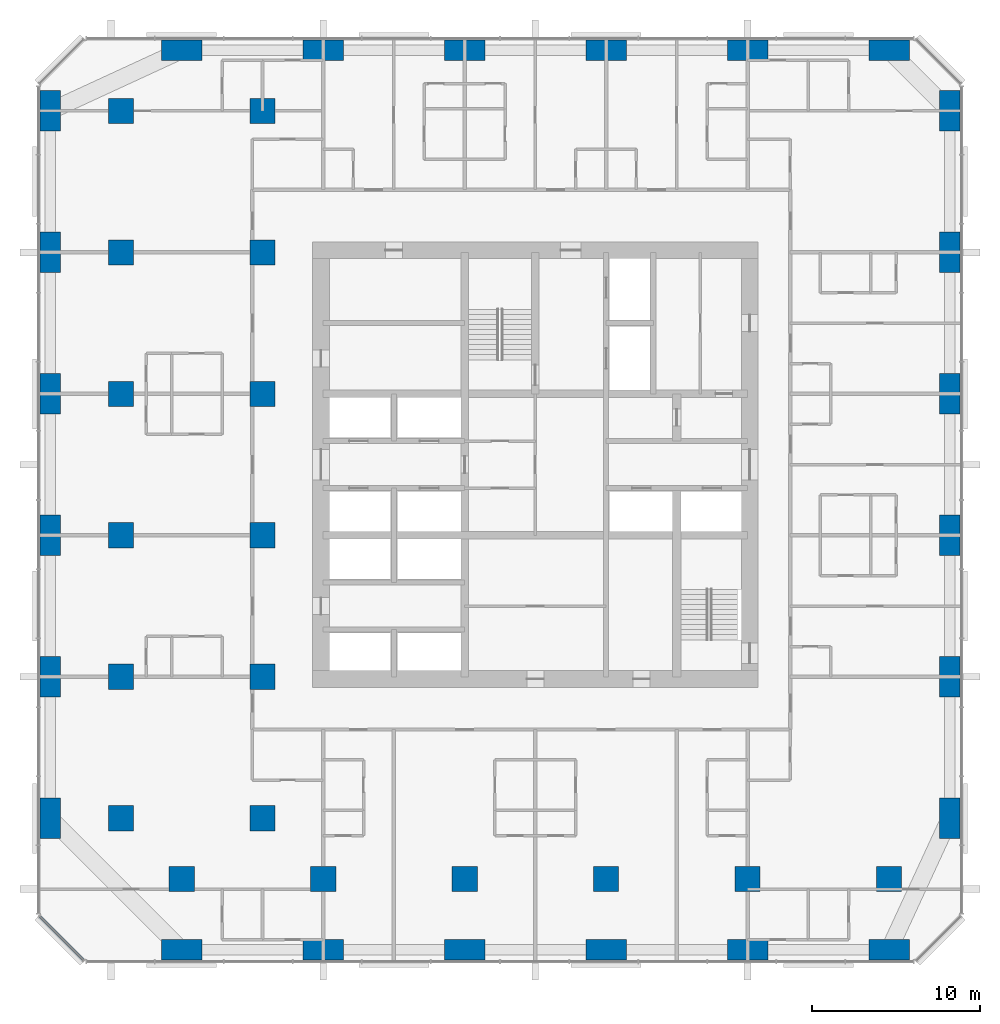
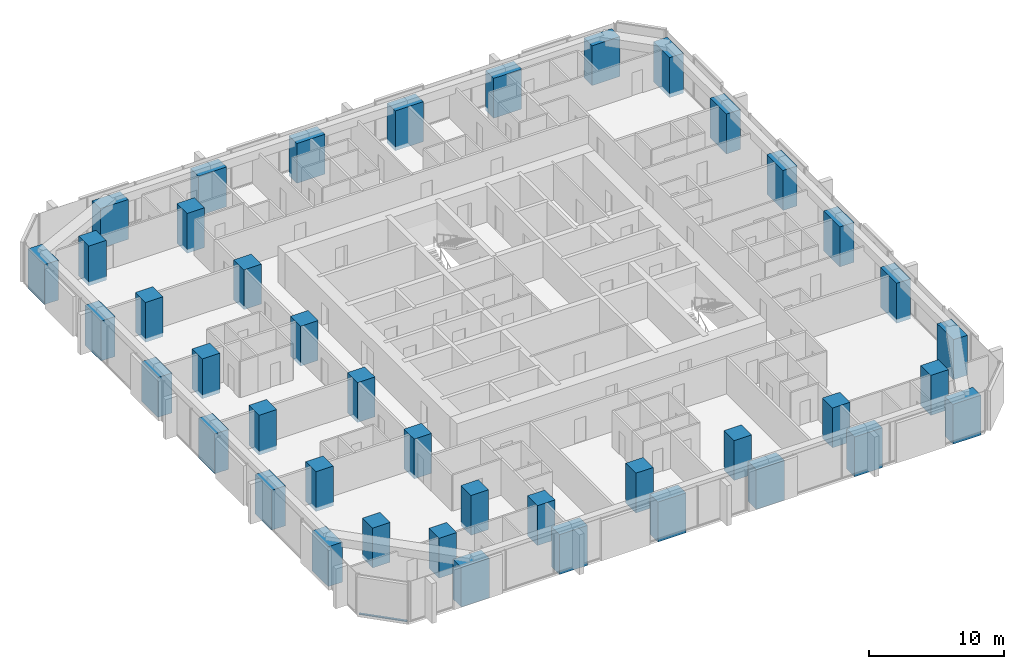
# One storey, part 1 of 14: 42 columns, 1 member, 1 element without a shape of its own.
"""IFC4 building model written with IfcOpenShell, lengths in metres."""

from ifc_helpers import new_model, si_unit, direction, frame, origin, origin_2d, place, context, subcontext, project, spatial, rectangle, extrude, material, material_profile, profile_set, type_object, element, aggregate, save


model = new_model("IFC4")

# Units and contexts
model_context = context("Model", 3, precision=1e-05, world=origin(), true_north=direction((0.0, 1.0)))
body_context = subcontext(model_context, "Body", "Model", "MODEL_VIEW")
ifc_project = project(units=[si_unit("LENGTHUNIT", "METRE"), si_unit("AREAUNIT", "SQUARE_METRE"), si_unit("VOLUMEUNIT", "CUBIC_METRE"), si_unit("PLANEANGLEUNIT", "RADIAN"), si_unit("MASSUNIT", "GRAM", prefix="KILO")], contexts=[model_context])

# Site, building, storey
site_placement = place(None, origin())
site = spatial("IfcSite", under=ifc_project, at=site_placement, CompositionType="ELEMENT")
building_placement = place(site_placement, origin())
building = spatial("IfcBuilding", under=site, at=building_placement, Name="Dunama Terrace Hotel", CompositionType="ELEMENT")
storey_placement = place(building_placement, frame((0.0, 0.0, 122.39990234375)))
storey = spatial("IfcBuildingStorey", under=building, at=storey_placement, Name="L31", CompositionType="ELEMENT", Elevation=122.39990234375)

# Columns
ifc_material_1 = material(Name="Concrete C60/75", Category="concrete")
ifc_material_profile_1 = material_profile(ifc_material_1, rectangle(XDim=1.199951171875, YDim=2.39990234375, at=origin_2d()), Name="RC 1200x2400")
ifc_profile_set_1 = profile_set([ifc_material_profile_1], Name="Concrete C60/75")
column_type_1 = type_object("IfcColumnType", Name="Column RC 1200x2400", PredefinedType="COLUMN", material=ifc_profile_set_1)
for number, where, z_axis, x_axis, name in (
    (1, (0.60009765625, 8.39990234375, -0.349853515625), (0.0, 0.0, 1.0), (1.0, 0.0, 0.0), "Column L31 +0.6/+8.4"),
    (2, (0.60009765625, 16.800048828125, -0.349853515625), (0.0, 0.0, 1.0), (1.0, 0.0, 0.0), "Column L31 +0.6/+16.8"),
    (3, (0.60009765625, 25.199951171875, -0.349853515625), (0.0, 0.0, 1.0), (1.0, 0.0, 0.0), "Column L31 +0.6/+25.2"),
    (4, (0.60009765625, 33.60009765625, -0.349853515625), (0.0, 0.0, 1.0), (1.0, 0.0, 0.0), "Column L31 +0.6/+33.6"),
    (5, (0.60009765625, 42.0, -0.349853515625), (0.0, 0.0, 1.0), (1.0, 0.0, 0.0), "Column L31 +0.6/+42.0"),
    (6, (0.60009765625, 50.39990234375, -0.349853515625), (0.0, 0.0, 1.0), (1.0, 0.0, 0.0), "Column L31 +0.6/+50.4"),
    (7, (54.0, 8.39990234375, -0.349853515625), (0.0, 0.0, 1.0), (1.0, 0.0, 0.0), "Column L31 +54.0/+8.4"),
    (8, (54.0, 16.800048828125, -0.349853515625), (0.0, 0.0, 1.0), (1.0, 0.0, 0.0), "Column L31 +54.0/+16.8"),
    (9, (54.0, 25.199951171875, -0.349853515625), (0.0, 0.0, 1.0), (1.0, 0.0, 0.0), "Column L31 +54.0/+25.2"),
    (10, (54.0, 33.60009765625, -0.349853515625), (0.0, 0.0, 1.0), (1.0, 0.0, 0.0), "Column L31 +54.0/+33.6"),
    (11, (54.0, 42.0, -0.349853515625), (0.0, 0.0, 1.0), (1.0, 0.0, 0.0), "Column L31 +54.0/+42.0"),
    (12, (54.0, 50.39990234375, -0.349853515625), (0.0, 0.0, 1.0), (1.0, 0.0, 0.0), "Column L31 +54.0/+50.4"),
):
    element("IfcColumn", number, at=place(storey_placement, frame(where, z_axis=z_axis, x_axis=x_axis)), inside=storey, type_object=column_type_1, Name=name, PredefinedType="COLUMN", context=body_context, shape_type="SweptSolid", body=[
        extrude(rectangle(XDim=1.199951171875, YDim=2.39990234375, at=origin_2d()), origin(), (0.0, 0.0, 1.0), 3.599853515625),
    ])
ifc_material_2 = material(Name="Concrete C60/75", Category="concrete")
ifc_material_profile_2 = material_profile(ifc_material_2, rectangle(XDim=1.5, YDim=1.5, at=origin_2d()), Name="RC 1500x1500")
ifc_profile_set_2 = profile_set([ifc_material_profile_2], Name="Concrete C60/75")
column_type_2 = type_object("IfcColumnType", Name="Column RC 1500x1500", PredefinedType="COLUMN", material=ifc_profile_set_2)
for number, where, z_axis, x_axis, name in (
    (13, (4.800048828125, 8.39990234375, -0.349853515625), (0.0, 0.0, 1.0), (1.0, 0.0, 0.0), "Column L31 +4.8/+8.4"),
    (14, (4.800048828125, 16.800048828125, -0.349853515625), (0.0, 0.0, 1.0), (1.0, 0.0, 0.0), "Column L31 +4.8/+16.8"),
    (15, (4.800048828125, 25.199951171875, -0.349853515625), (0.0, 0.0, 1.0), (1.0, 0.0, 0.0), "Column L31 +4.8/+25.2"),
    (16, (4.800048828125, 33.60009765625, -0.349853515625), (0.0, 0.0, 1.0), (1.0, 0.0, 0.0), "Column L31 +4.8/+33.6"),
    (17, (4.800048828125, 42.0, -0.349853515625), (0.0, 0.0, 1.0), (1.0, 0.0, 0.0), "Column L31 +4.8/+42.0"),
    (18, (4.800048828125, 50.39990234375, -0.349853515625), (0.0, 0.0, 1.0), (1.0, 0.0, 0.0), "Column L31 +4.8/+50.4"),
    (19, (8.39990234375, 4.800048828125, -0.349853515625), (0.0, 0.0, 1.0), (1.0, 0.0, 0.0), "Column L31 +8.4/+4.8"),
    (20, (13.199951171875, 8.39990234375, -0.349853515625), (0.0, 0.0, 1.0), (1.0, 0.0, 0.0), "Column L31 +13.2/+8.4"),
    (21, (13.199951171875, 16.800048828125, -0.349853515625), (0.0, 0.0, 1.0), (1.0, 0.0, 0.0), "Column L31 +13.2/+16.8"),
    (22, (13.199951171875, 25.199951171875, -0.349853515625), (0.0, 0.0, 1.0), (1.0, 0.0, 0.0), "Column L31 +13.2/+25.2"),
    (23, (13.199951171875, 33.60009765625, -0.349853515625), (0.0, 0.0, 1.0), (1.0, 0.0, 0.0), "Column L31 +13.2/+33.6"),
    (24, (13.199951171875, 42.0, -0.349853515625), (0.0, 0.0, 1.0), (1.0, 0.0, 0.0), "Column L31 +13.2/+42.0"),
    (25, (13.199951171875, 50.39990234375, -0.349853515625), (0.0, 0.0, 1.0), (1.0, 0.0, 0.0), "Column L31 +13.2/+50.4"),
    (26, (16.800048828125, 4.800048828125, -0.349853515625), (0.0, 0.0, 1.0), (1.0, 0.0, 0.0), "Column L31 +16.8/+4.8"),
    (27, (25.199951171875, 4.800048828125, -0.349853515625), (0.0, 0.0, 1.0), (1.0, 0.0, 0.0), "Column L31 +25.2/+4.8"),
    (28, (33.60009765625, 4.800048828125, -0.349853515625), (0.0, 0.0, 1.0), (1.0, 0.0, 0.0), "Column L31 +33.6/+4.8"),
    (29, (42.0, 4.800048828125, -0.349853515625), (0.0, 0.0, 1.0), (1.0, 0.0, 0.0), "Column L31 +42.0/+4.8"),
    (30, (50.39990234375, 4.800048828125, -0.349853515625), (0.0, 0.0, 1.0), (1.0, 0.0, 0.0), "Column L31 +50.4/+4.8"),
):
    element("IfcColumn", number, at=place(storey_placement, frame(where, z_axis=z_axis, x_axis=x_axis)), inside=storey, type_object=column_type_2, Name=name, PredefinedType="COLUMN", context=body_context, shape_type="SweptSolid", body=[
        extrude(rectangle(XDim=1.5, YDim=1.5, at=origin_2d()), origin(), (0.0, 0.0, 1.0), 3.599853515625),
    ])
ifc_material_3 = material(Name="Concrete C60/75", Category="concrete")
ifc_material_profile_3 = material_profile(ifc_material_3, rectangle(XDim=2.39990234375, YDim=1.199951171875, at=origin_2d()), Name="RC 2400x1200")
ifc_profile_set_3 = profile_set([ifc_material_profile_3], Name="Concrete C60/75")
column_type_3 = type_object("IfcColumnType", Name="Column RC 2400x1200", PredefinedType="COLUMN", material=ifc_profile_set_3)
for number, where, z_axis, x_axis, name in (
    (31, (8.39990234375, 0.60009765625, -0.349853515625), (0.0, 0.0, 1.0), (1.0, 0.0, 0.0), "Column L31 +8.4/+0.6"),
    (32, (8.39990234375, 54.0, -0.349853515625), (0.0, 0.0, 1.0), (1.0, 0.0, 0.0), "Column L31 +8.4/+54.0"),
    (33, (16.800048828125, 0.60009765625, -0.349853515625), (0.0, 0.0, 1.0), (1.0, 0.0, 0.0), "Column L31 +16.8/+0.6"),
    (34, (16.800048828125, 54.0, -0.349853515625), (0.0, 0.0, 1.0), (1.0, 0.0, 0.0), "Column L31 +16.8/+54.0"),
    (35, (25.199951171875, 0.60009765625, -0.349853515625), (0.0, 0.0, 1.0), (1.0, 0.0, 0.0), "Column L31 +25.2/+0.6"),
    (36, (25.199951171875, 54.0, -0.349853515625), (0.0, 0.0, 1.0), (1.0, 0.0, 0.0), "Column L31 +25.2/+54.0"),
    (37, (33.60009765625, 0.60009765625, -0.349853515625), (0.0, 0.0, 1.0), (1.0, 0.0, 0.0), "Column L31 +33.6/+0.6"),
    (38, (33.60009765625, 54.0, -0.349853515625), (0.0, 0.0, 1.0), (1.0, 0.0, 0.0), "Column L31 +33.6/+54.0"),
    (39, (42.0, 0.60009765625, -0.349853515625), (0.0, 0.0, 1.0), (1.0, 0.0, 0.0), "Column L31 +42.0/+0.6"),
    (40, (42.0, 54.0, -0.349853515625), (0.0, 0.0, 1.0), (1.0, 0.0, 0.0), "Column L31 +42.0/+54.0"),
    (41, (50.39990234375, 0.60009765625, -0.349853515625), (0.0, 0.0, 1.0), (1.0, 0.0, 0.0), "Column L31 +50.4/+0.6"),
    (42, (50.39990234375, 54.0, -0.349853515625), (0.0, 0.0, 1.0), (1.0, 0.0, 0.0), "Column L31 +50.4/+54.0"),
):
    element("IfcColumn", number, at=place(storey_placement, frame(where, z_axis=z_axis, x_axis=x_axis)), inside=storey, type_object=column_type_3, Name=name, PredefinedType="COLUMN", context=body_context, shape_type="SweptSolid", body=[
        extrude(rectangle(XDim=2.39990234375, YDim=1.199951171875, at=origin_2d()), origin(), (0.0, 0.0, 1.0), 3.599853515625),
    ])

# Curtain wall, member
ifc_material_4 = material(Name="Aluminium curtain wall system", Category="aluminium")
curtain_wall_type = type_object("IfcCurtainWallType", Name="Unitised fritted glass wall CW-B", PredefinedType="NOTDEFINED", material=ifc_material_4)
curtain_wall_placement = place(storey_placement, origin())
curtain_wall = element("IfcCurtainWall", 43, at=curtain_wall_placement, inside=storey, type_object=curtain_wall_type, Name="Unitised fritted glass wall CW-B L31", PredefinedType="NOTDEFINED")
ifc_material_5 = material(Name="Aluminium transom", Category="aluminium")
ifc_material_profile_4 = material_profile(ifc_material_5, rectangle(XDim=0.179931640625, YDim=0.080078125, at=origin_2d()), Name="CWB TRANSOM 180X80")
ifc_profile_set_4 = profile_set([ifc_material_profile_4], Name="Aluminium transom")
member_type = type_object("IfcMemberType", Name="CWB transom 180x80", PredefinedType="USERDEFINED", material=ifc_profile_set_4)
member_placement = place(storey_placement, frame((-0.031982421875, 2.575927734375, 0.0400390625), z_axis=(0.707106781187, -0.707106781187, 0.0), x_axis=(0.707106781187, 0.707106781187, 0.0)))
member = element("IfcMember", 44, at=member_placement, type_object=member_type, Name="CWB transom", ObjectType="TRANSOM", PredefinedType="USERDEFINED", context=body_context, shape_type="SweptSolid", body=[
    extrude(rectangle(XDim=0.179931640625, YDim=0.080078125, at=origin_2d()), origin(), (0.0, 0.0, 1.0), 3.688232421875),
])
aggregate(curtain_wall, [member])

save(model, "model.ifc")
